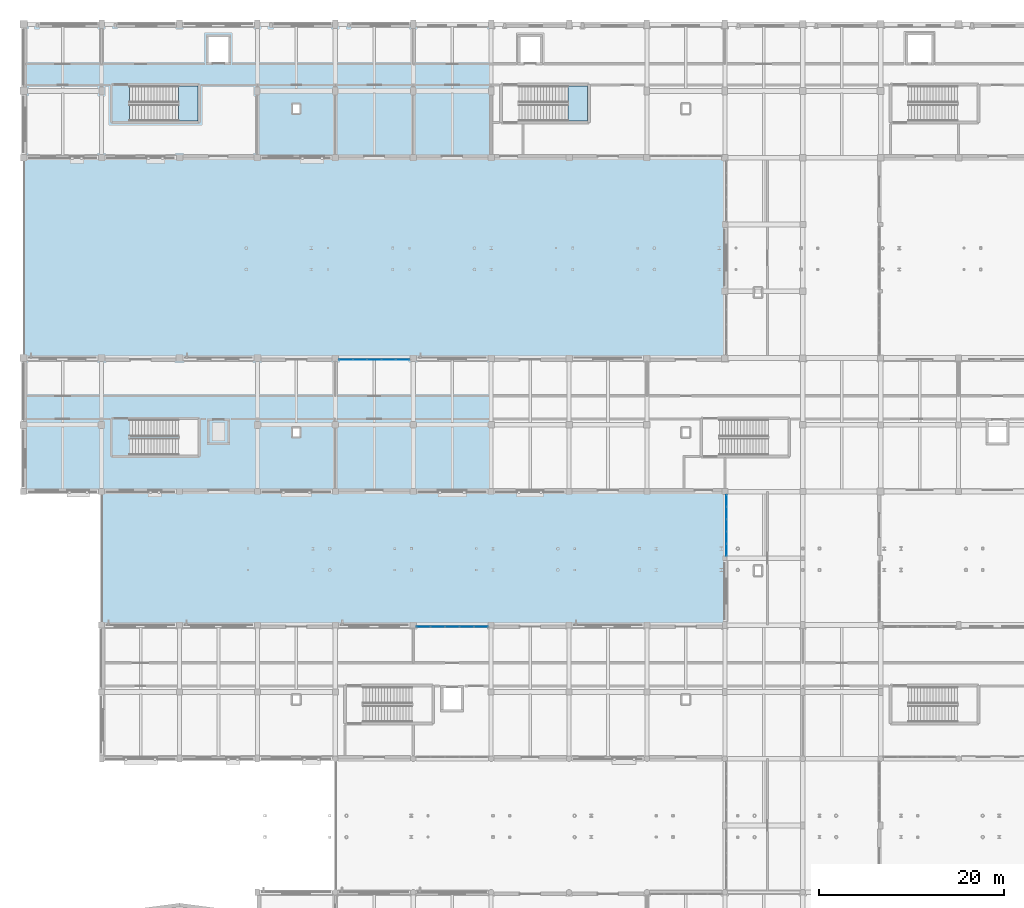
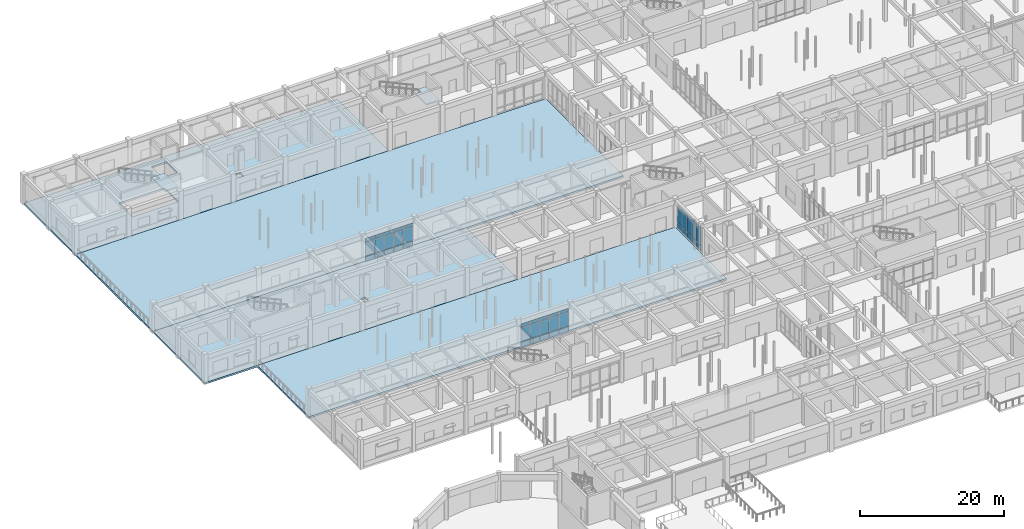
# One storey, part 67 of 121: 45 plates, 6 slabs, 5 elements without a shape of their own.
"""IFC4 building model written with IfcOpenShell, lengths in metres."""

from ifc_helpers import new_model, si_unit, direction, frame, origin, origin_2d, place, context, subcontext, project, spatial, polyline, rectangle, outline, extrude, material, layer, layer_set, type_object, element, aggregate, save


model = new_model("IFC4")

# Units and contexts
model_context = context("Model", 3, precision=1e-05, world=origin(), true_north=direction((0.0, 1.0)))
body_context = subcontext(model_context, "Body", "Model", "MODEL_VIEW")
ifc_project = project(units=[si_unit("LENGTHUNIT", "METRE"), si_unit("AREAUNIT", "SQUARE_METRE"), si_unit("VOLUMEUNIT", "CUBIC_METRE"), si_unit("PLANEANGLEUNIT", "RADIAN"), si_unit("MASSUNIT", "GRAM", prefix="KILO")], contexts=[model_context])

# Site, building, storey
site_placement = place(None, origin())
site = spatial("IfcSite", under=ifc_project, at=site_placement, CompositionType="ELEMENT")
building_placement = place(site_placement, origin())
building = spatial("IfcBuilding", under=site, at=building_placement, Name="Malvenik Polytechnic", CompositionType="ELEMENT")
storey_placement = place(building_placement, origin())
storey = spatial("IfcBuildingStorey", under=building, at=storey_placement, Name="L00", CompositionType="ELEMENT", Elevation=0.0)

# Curtain wall, plates
ifc_material_1 = material(Name="Anodised aluminium 6060-T6", Category="aluminium")
curtain_wall_type_1 = type_object("IfcCurtainWallType", Name="ARC-CW-CW-01", PredefinedType="NOTDEFINED", material=ifc_material_1)
curtain_wall_1_placement = place(storey_placement, origin())
curtain_wall_1 = element("IfcCurtainWall", 1, at=curtain_wall_1_placement, inside=storey, type_object=curtain_wall_type_1, Name="Unitised Curtain Wall CW-01 L00 #5", PredefinedType="NOTDEFINED")
ifc_material_2 = material(Name="Triple solar-control glazing 8-14-6-14-8", Category="glass")
ifc_layer_1 = layer(ifc_material_2, 0.035888671875)
ifc_layer_set_1 = layer_set([ifc_layer_1], Name="Triple solar-control glazing 8-14-6-14-8")
plate_type_1 = type_object("IfcPlateType", Name="ARC-CWP-CP-GLZ36", PredefinedType="CURTAIN_PANEL", material=ifc_layer_set_1)
plate_1_placement = place(storey_placement, frame((43.11328125, 64.6298828125, 0.97998046875), z_axis=(0.0, 0.0, 1.0), x_axis=(1.0, 0.0, 0.0)))
plate_1 = element("IfcPlate", 2, at=plate_1_placement, type_object=plate_type_1, Name="CW-01 panel 1.2", PredefinedType="CURTAIN_PANEL", context=body_context, shape_type="SweptSolid", body=[
    extrude(rectangle(XDim=1.460693359375, YDim=0.028076171875, at=origin_2d()), origin(), (0.0, 0.0, 1.0), 2.35009765625),
])
plate_2_placement = place(storey_placement, frame((43.11328125, 64.6298828125, 3.389892578125), z_axis=(0.0, 0.0, 1.0), x_axis=(1.0, 0.0, 0.0)))
plate_2 = element("IfcPlate", 3, at=plate_2_placement, type_object=plate_type_1, Name="CW-01 panel 1.3", PredefinedType="CURTAIN_PANEL", context=body_context, shape_type="SweptSolid", body=[
    extrude(rectangle(XDim=1.460693359375, YDim=0.028076171875, at=origin_2d()), origin(), (0.0, 0.0, 1.0), 0.56005859375),
])
plate_3_placement = place(storey_placement, frame((44.649169921875, 64.6298828125, 0.97998046875), z_axis=(0.0, 0.0, 1.0), x_axis=(1.0, 0.0, 0.0)))
plate_3 = element("IfcPlate", 4, at=plate_3_placement, type_object=plate_type_1, Name="CW-01 panel 2.2", PredefinedType="CURTAIN_PANEL", context=body_context, shape_type="SweptSolid", body=[
    extrude(rectangle(XDim=1.49072265625, YDim=0.028076171875, at=origin_2d()), origin(), (0.0, 0.0, 1.0), 2.35009765625),
])
plate_4_placement = place(storey_placement, frame((44.649169921875, 64.6298828125, 3.389892578125), z_axis=(0.0, 0.0, 1.0), x_axis=(1.0, 0.0, 0.0)))
plate_4 = element("IfcPlate", 5, at=plate_4_placement, type_object=plate_type_1, Name="CW-01 panel 2.3", PredefinedType="CURTAIN_PANEL", context=body_context, shape_type="SweptSolid", body=[
    extrude(rectangle(XDim=1.49072265625, YDim=0.028076171875, at=origin_2d()), origin(), (0.0, 0.0, 1.0), 0.56005859375),
])
plate_5_placement = place(storey_placement, frame((46.199951171875, 64.6298828125, 0.97998046875), z_axis=(0.0, 0.0, 1.0), x_axis=(1.0, 0.0, 0.0)))
plate_5 = element("IfcPlate", 6, at=plate_5_placement, type_object=plate_type_1, Name="CW-01 panel 3.2", PredefinedType="CURTAIN_PANEL", context=body_context, shape_type="SweptSolid", body=[
    extrude(rectangle(XDim=1.49072265625, YDim=0.028076171875, at=origin_2d()), origin(), (0.0, 0.0, 1.0), 2.35009765625),
])
plate_6_placement = place(storey_placement, frame((46.199951171875, 64.6298828125, 3.389892578125), z_axis=(0.0, 0.0, 1.0), x_axis=(1.0, 0.0, 0.0)))
plate_6 = element("IfcPlate", 7, at=plate_6_placement, type_object=plate_type_1, Name="CW-01 panel 3.3", PredefinedType="CURTAIN_PANEL", context=body_context, shape_type="SweptSolid", body=[
    extrude(rectangle(XDim=1.49072265625, YDim=0.028076171875, at=origin_2d()), origin(), (0.0, 0.0, 1.0), 0.56005859375),
])
plate_7_placement = place(storey_placement, frame((47.750732421875, 64.6298828125, 0.97998046875), z_axis=(0.0, 0.0, 1.0), x_axis=(1.0, 0.0, 0.0)))
plate_7 = element("IfcPlate", 8, at=plate_7_placement, type_object=plate_type_1, Name="CW-01 panel 4.2", PredefinedType="CURTAIN_PANEL", context=body_context, shape_type="SweptSolid", body=[
    extrude(rectangle(XDim=1.49072265625, YDim=0.028076171875, at=origin_2d()), origin(), (0.0, 0.0, 1.0), 2.35009765625),
])
plate_8_placement = place(storey_placement, frame((47.750732421875, 64.6298828125, 3.389892578125), z_axis=(0.0, 0.0, 1.0), x_axis=(1.0, 0.0, 0.0)))
plate_8 = element("IfcPlate", 9, at=plate_8_placement, type_object=plate_type_1, Name="CW-01 panel 4.3", PredefinedType="CURTAIN_PANEL", context=body_context, shape_type="SweptSolid", body=[
    extrude(rectangle(XDim=1.49072265625, YDim=0.028076171875, at=origin_2d()), origin(), (0.0, 0.0, 1.0), 0.56005859375),
])
plate_9_placement = place(storey_placement, frame((49.28662109375, 64.6298828125, 0.97998046875), z_axis=(0.0, 0.0, 1.0), x_axis=(1.0, 0.0, 0.0)))
plate_9 = element("IfcPlate", 10, at=plate_9_placement, type_object=plate_type_1, Name="CW-01 panel 5.2", PredefinedType="CURTAIN_PANEL", context=body_context, shape_type="SweptSolid", body=[
    extrude(rectangle(XDim=1.460693359375, YDim=0.028076171875, at=origin_2d()), origin(), (0.0, 0.0, 1.0), 2.35009765625),
])
plate_10_placement = place(storey_placement, frame((49.28662109375, 64.6298828125, 3.389892578125), z_axis=(0.0, 0.0, 1.0), x_axis=(1.0, 0.0, 0.0)))
plate_10 = element("IfcPlate", 11, at=plate_10_placement, type_object=plate_type_1, Name="CW-01 panel 5.3", PredefinedType="CURTAIN_PANEL", context=body_context, shape_type="SweptSolid", body=[
    extrude(rectangle(XDim=1.460693359375, YDim=0.028076171875, at=origin_2d()), origin(), (0.0, 0.0, 1.0), 0.56005859375),
])

curtain_wall_type_2 = type_object("IfcCurtainWallType", Name="ARC-CW-CW-04", PredefinedType="NOTDEFINED", material=ifc_material_1)
curtain_wall_2_placement = place(storey_placement, origin())
curtain_wall_2 = element("IfcCurtainWall", 12, at=curtain_wall_2_placement, inside=storey, type_object=curtain_wall_type_2, Name="Unitised Curtain Wall CW-04 L00 #6", PredefinedType="NOTDEFINED")
plate_11_placement = place(storey_placement, frame((75.77001953125, 72.92578125, 0.97998046875), z_axis=(0.0, 0.0, 1.0), x_axis=(0.0, 1.0, 0.0)))
plate_11 = element("IfcPlate", 13, at=plate_11_placement, type_object=plate_type_1, Name="CW-04 panel 1.2", PredefinedType="CURTAIN_PANEL", context=body_context, shape_type="SweptSolid", body=[
    extrude(rectangle(XDim=1.23583984375, YDim=0.028076171875, at=origin_2d()), origin(), (0.0, 0.0, 1.0), 2.449951171875),
])
plate_12_placement = place(storey_placement, frame((75.77001953125, 72.92578125, 3.489990234375), z_axis=(0.0, 0.0, 1.0), x_axis=(0.0, 1.0, 0.0)))
plate_12 = element("IfcPlate", 14, at=plate_12_placement, type_object=plate_type_1, Name="CW-04 panel 1.3", PredefinedType="CURTAIN_PANEL", context=body_context, shape_type="SweptSolid", body=[
    extrude(rectangle(XDim=1.23583984375, YDim=0.028076171875, at=origin_2d()), origin(), (0.0, 0.0, 1.0), 0.56005859375),
])
plate_13_placement = place(storey_placement, frame((75.77001953125, 74.23681640625, 0.97998046875), z_axis=(0.0, 0.0, 1.0), x_axis=(0.0, 1.0, 0.0)))
plate_13 = element("IfcPlate", 15, at=plate_13_placement, type_object=plate_type_1, Name="CW-04 panel 2.2", PredefinedType="CURTAIN_PANEL", context=body_context, shape_type="SweptSolid", body=[
    extrude(rectangle(XDim=1.265869140625, YDim=0.028076171875, at=origin_2d()), origin(), (0.0, 0.0, 1.0), 2.449951171875),
])
plate_14_placement = place(storey_placement, frame((75.77001953125, 74.23681640625, 3.489990234375), z_axis=(0.0, 0.0, 1.0), x_axis=(0.0, 1.0, 0.0)))
plate_14 = element("IfcPlate", 16, at=plate_14_placement, type_object=plate_type_1, Name="CW-04 panel 2.3", PredefinedType="CURTAIN_PANEL", context=body_context, shape_type="SweptSolid", body=[
    extrude(rectangle(XDim=1.265869140625, YDim=0.028076171875, at=origin_2d()), origin(), (0.0, 0.0, 1.0), 0.56005859375),
])
plate_15_placement = place(storey_placement, frame((75.77001953125, 75.5625, 0.97998046875), z_axis=(0.0, 0.0, 1.0), x_axis=(0.0, 1.0, 0.0)))
plate_15 = element("IfcPlate", 17, at=plate_15_placement, type_object=plate_type_1, Name="CW-04 panel 3.2", PredefinedType="CURTAIN_PANEL", context=body_context, shape_type="SweptSolid", body=[
    extrude(rectangle(XDim=1.265869140625, YDim=0.028076171875, at=origin_2d()), origin(), (0.0, 0.0, 1.0), 2.449951171875),
])
plate_16_placement = place(storey_placement, frame((75.77001953125, 75.5625, 3.489990234375), z_axis=(0.0, 0.0, 1.0), x_axis=(0.0, 1.0, 0.0)))
plate_16 = element("IfcPlate", 18, at=plate_16_placement, type_object=plate_type_1, Name="CW-04 panel 3.3", PredefinedType="CURTAIN_PANEL", context=body_context, shape_type="SweptSolid", body=[
    extrude(rectangle(XDim=1.265869140625, YDim=0.028076171875, at=origin_2d()), origin(), (0.0, 0.0, 1.0), 0.56005859375),
])
plate_17_placement = place(storey_placement, frame((75.77001953125, 76.88818359375, 0.97998046875), z_axis=(0.0, 0.0, 1.0), x_axis=(0.0, 1.0, 0.0)))
plate_17 = element("IfcPlate", 19, at=plate_17_placement, type_object=plate_type_1, Name="CW-04 panel 4.2", PredefinedType="CURTAIN_PANEL", context=body_context, shape_type="SweptSolid", body=[
    extrude(rectangle(XDim=1.265869140625, YDim=0.028076171875, at=origin_2d()), origin(), (0.0, 0.0, 1.0), 2.449951171875),
])
plate_18_placement = place(storey_placement, frame((75.77001953125, 76.88818359375, 3.489990234375), z_axis=(0.0, 0.0, 1.0), x_axis=(0.0, 1.0, 0.0)))
plate_18 = element("IfcPlate", 20, at=plate_18_placement, type_object=plate_type_1, Name="CW-04 panel 4.3", PredefinedType="CURTAIN_PANEL", context=body_context, shape_type="SweptSolid", body=[
    extrude(rectangle(XDim=1.265869140625, YDim=0.028076171875, at=origin_2d()), origin(), (0.0, 0.0, 1.0), 0.56005859375),
])
plate_19_placement = place(storey_placement, frame((75.77001953125, 78.19921875, 0.97998046875), z_axis=(0.0, 0.0, 1.0), x_axis=(0.0, 1.0, 0.0)))
plate_19 = element("IfcPlate", 21, at=plate_19_placement, type_object=plate_type_1, Name="CW-04 panel 5.2", PredefinedType="CURTAIN_PANEL", context=body_context, shape_type="SweptSolid", body=[
    extrude(rectangle(XDim=1.23583984375, YDim=0.028076171875, at=origin_2d()), origin(), (0.0, 0.0, 1.0), 2.449951171875),
])
plate_20_placement = place(storey_placement, frame((75.77001953125, 78.19921875, 3.489990234375), z_axis=(0.0, 0.0, 1.0), x_axis=(0.0, 1.0, 0.0)))
plate_20 = element("IfcPlate", 22, at=plate_20_placement, type_object=plate_type_1, Name="CW-04 panel 5.3", PredefinedType="CURTAIN_PANEL", context=body_context, shape_type="SweptSolid", body=[
    extrude(rectangle(XDim=1.23583984375, YDim=0.028076171875, at=origin_2d()), origin(), (0.0, 0.0, 1.0), 0.56005859375),
])

curtain_wall_3_placement = place(storey_placement, origin())
curtain_wall_3 = element("IfcCurtainWall", 23, at=curtain_wall_3_placement, inside=storey, type_object=curtain_wall_type_1, Name="Unitised Curtain Wall CW-01 L00 #7", PredefinedType="NOTDEFINED")
plate_21_placement = place(storey_placement, frame((34.7333984375, 93.429931640625, 0.97998046875), z_axis=(0.0, 0.0, 1.0), x_axis=(1.0, 0.0, 0.0)))
plate_21 = element("IfcPlate", 24, at=plate_21_placement, type_object=plate_type_1, Name="CW-01 panel 1.2", PredefinedType="CURTAIN_PANEL", context=body_context, shape_type="SweptSolid", body=[
    extrude(rectangle(XDim=1.45068359375, YDim=0.028076171875, at=origin_2d()), origin(), (0.0, 0.0, 1.0), 2.35009765625),
])
plate_22_placement = place(storey_placement, frame((34.7333984375, 93.429931640625, 3.389892578125), z_axis=(0.0, 0.0, 1.0), x_axis=(1.0, 0.0, 0.0)))
plate_22 = element("IfcPlate", 25, at=plate_22_placement, type_object=plate_type_1, Name="CW-01 panel 1.3", PredefinedType="CURTAIN_PANEL", context=body_context, shape_type="SweptSolid", body=[
    extrude(rectangle(XDim=1.45068359375, YDim=0.028076171875, at=origin_2d()), origin(), (0.0, 0.0, 1.0), 0.56005859375),
])
plate_23_placement = place(storey_placement, frame((36.25927734375, 93.429931640625, 0.97998046875), z_axis=(0.0, 0.0, 1.0), x_axis=(1.0, 0.0, 0.0)))
plate_23 = element("IfcPlate", 26, at=plate_23_placement, type_object=plate_type_1, Name="CW-01 panel 2.2", PredefinedType="CURTAIN_PANEL", context=body_context, shape_type="SweptSolid", body=[
    extrude(rectangle(XDim=1.480712890625, YDim=0.028076171875, at=origin_2d()), origin(), (0.0, 0.0, 1.0), 2.35009765625),
])
plate_24_placement = place(storey_placement, frame((36.25927734375, 93.429931640625, 3.389892578125), z_axis=(0.0, 0.0, 1.0), x_axis=(1.0, 0.0, 0.0)))
plate_24 = element("IfcPlate", 27, at=plate_24_placement, type_object=plate_type_1, Name="CW-01 panel 2.3", PredefinedType="CURTAIN_PANEL", context=body_context, shape_type="SweptSolid", body=[
    extrude(rectangle(XDim=1.480712890625, YDim=0.028076171875, at=origin_2d()), origin(), (0.0, 0.0, 1.0), 0.56005859375),
])
plate_25_placement = place(storey_placement, frame((37.800048828125, 93.429931640625, 0.97998046875), z_axis=(0.0, 0.0, 1.0), x_axis=(1.0, 0.0, 0.0)))
plate_25 = element("IfcPlate", 28, at=plate_25_placement, type_object=plate_type_1, Name="CW-01 panel 3.2", PredefinedType="CURTAIN_PANEL", context=body_context, shape_type="SweptSolid", body=[
    extrude(rectangle(XDim=1.480712890625, YDim=0.028076171875, at=origin_2d()), origin(), (0.0, 0.0, 1.0), 2.35009765625),
])
plate_26_placement = place(storey_placement, frame((37.800048828125, 93.429931640625, 3.389892578125), z_axis=(0.0, 0.0, 1.0), x_axis=(1.0, 0.0, 0.0)))
plate_26 = element("IfcPlate", 29, at=plate_26_placement, type_object=plate_type_1, Name="CW-01 panel 3.3", PredefinedType="CURTAIN_PANEL", context=body_context, shape_type="SweptSolid", body=[
    extrude(rectangle(XDim=1.480712890625, YDim=0.028076171875, at=origin_2d()), origin(), (0.0, 0.0, 1.0), 0.56005859375),
])
plate_27_placement = place(storey_placement, frame((39.3408203125, 93.429931640625, 0.97998046875), z_axis=(0.0, 0.0, 1.0), x_axis=(1.0, 0.0, 0.0)))
plate_27 = element("IfcPlate", 30, at=plate_27_placement, type_object=plate_type_1, Name="CW-01 panel 4.2", PredefinedType="CURTAIN_PANEL", context=body_context, shape_type="SweptSolid", body=[
    extrude(rectangle(XDim=1.480712890625, YDim=0.028076171875, at=origin_2d()), origin(), (0.0, 0.0, 1.0), 2.35009765625),
])
plate_28_placement = place(storey_placement, frame((39.3408203125, 93.429931640625, 3.389892578125), z_axis=(0.0, 0.0, 1.0), x_axis=(1.0, 0.0, 0.0)))
plate_28 = element("IfcPlate", 31, at=plate_28_placement, type_object=plate_type_1, Name="CW-01 panel 4.3", PredefinedType="CURTAIN_PANEL", context=body_context, shape_type="SweptSolid", body=[
    extrude(rectangle(XDim=1.480712890625, YDim=0.028076171875, at=origin_2d()), origin(), (0.0, 0.0, 1.0), 0.56005859375),
])
plate_29_placement = place(storey_placement, frame((40.86669921875, 93.429931640625, 0.97998046875), z_axis=(0.0, 0.0, 1.0), x_axis=(1.0, 0.0, 0.0)))
plate_29 = element("IfcPlate", 32, at=plate_29_placement, type_object=plate_type_1, Name="CW-01 panel 5.2", PredefinedType="CURTAIN_PANEL", context=body_context, shape_type="SweptSolid", body=[
    extrude(rectangle(XDim=1.45068359375, YDim=0.028076171875, at=origin_2d()), origin(), (0.0, 0.0, 1.0), 2.35009765625),
])
plate_30_placement = place(storey_placement, frame((40.86669921875, 93.429931640625, 3.389892578125), z_axis=(0.0, 0.0, 1.0), x_axis=(1.0, 0.0, 0.0)))
plate_30 = element("IfcPlate", 33, at=plate_30_placement, type_object=plate_type_1, Name="CW-01 panel 5.3", PredefinedType="CURTAIN_PANEL", context=body_context, shape_type="SweptSolid", body=[
    extrude(rectangle(XDim=1.45068359375, YDim=0.028076171875, at=origin_2d()), origin(), (0.0, 0.0, 1.0), 0.56005859375),
])

# Plate
ifc_material_3 = material(Name="Insulated aluminium spandrel cassette 42mm", Category="aluminium")
ifc_layer_2 = layer(ifc_material_3, 0.0419921875)
ifc_layer_set_2 = layer_set([ifc_layer_2], Name="Insulated aluminium spandrel cassette 42mm")
plate_type_2 = type_object("IfcPlateType", Name="ARC-CWP-CP-SPN42", PredefinedType="CURTAIN_PANEL", material=ifc_layer_set_2)
plate_31_placement = place(storey_placement, frame((43.11328125, 64.6298828125, 0.06005859375), z_axis=(0.0, 0.0, 1.0), x_axis=(1.0, 0.0, 0.0)))
plate_31 = element("IfcPlate", 34, at=plate_31_placement, type_object=plate_type_2, Name="CW-01 panel 1.1", PredefinedType="CURTAIN_PANEL", context=body_context, shape_type="SweptSolid", body=[
    extrude(rectangle(XDim=1.460693359375, YDim=0.028076171875, at=origin_2d()), origin(), (0.0, 0.0, 1.0), 0.860107421875),
])

plate_32_placement = place(storey_placement, frame((44.649169921875, 64.6298828125, 0.06005859375), z_axis=(0.0, 0.0, 1.0), x_axis=(1.0, 0.0, 0.0)))
plate_32 = element("IfcPlate", 35, at=plate_32_placement, type_object=plate_type_2, Name="CW-01 panel 2.1", PredefinedType="CURTAIN_PANEL", context=body_context, shape_type="SweptSolid", body=[
    extrude(rectangle(XDim=1.49072265625, YDim=0.028076171875, at=origin_2d()), origin(), (0.0, 0.0, 1.0), 0.860107421875),
])

plate_33_placement = place(storey_placement, frame((46.199951171875, 64.6298828125, 0.06005859375), z_axis=(0.0, 0.0, 1.0), x_axis=(1.0, 0.0, 0.0)))
plate_33 = element("IfcPlate", 36, at=plate_33_placement, type_object=plate_type_2, Name="CW-01 panel 3.1", PredefinedType="CURTAIN_PANEL", context=body_context, shape_type="SweptSolid", body=[
    extrude(rectangle(XDim=1.49072265625, YDim=0.028076171875, at=origin_2d()), origin(), (0.0, 0.0, 1.0), 0.860107421875),
])

plate_34_placement = place(storey_placement, frame((47.750732421875, 64.6298828125, 0.06005859375), z_axis=(0.0, 0.0, 1.0), x_axis=(1.0, 0.0, 0.0)))
plate_34 = element("IfcPlate", 37, at=plate_34_placement, type_object=plate_type_2, Name="CW-01 panel 4.1", PredefinedType="CURTAIN_PANEL", context=body_context, shape_type="SweptSolid", body=[
    extrude(rectangle(XDim=1.49072265625, YDim=0.028076171875, at=origin_2d()), origin(), (0.0, 0.0, 1.0), 0.860107421875),
])

plate_35_placement = place(storey_placement, frame((49.28662109375, 64.6298828125, 0.06005859375), z_axis=(0.0, 0.0, 1.0), x_axis=(1.0, 0.0, 0.0)))
plate_35 = element("IfcPlate", 38, at=plate_35_placement, type_object=plate_type_2, Name="CW-01 panel 5.1", PredefinedType="CURTAIN_PANEL", context=body_context, shape_type="SweptSolid", body=[
    extrude(rectangle(XDim=1.460693359375, YDim=0.028076171875, at=origin_2d()), origin(), (0.0, 0.0, 1.0), 0.860107421875),
])

aggregate(curtain_wall_1, [plate_31, plate_1, plate_2, plate_32, plate_3, plate_4, plate_33, plate_5, plate_6, plate_34, plate_7, plate_8, plate_35, plate_9, plate_10])

plate_36_placement = place(storey_placement, frame((75.77001953125, 72.92578125, 0.06005859375), z_axis=(0.0, 0.0, 1.0), x_axis=(0.0, 1.0, 0.0)))
plate_36 = element("IfcPlate", 39, at=plate_36_placement, type_object=plate_type_2, Name="CW-04 panel 1.1", PredefinedType="CURTAIN_PANEL", context=body_context, shape_type="SweptSolid", body=[
    extrude(rectangle(XDim=1.23583984375, YDim=0.028076171875, at=origin_2d()), origin(), (0.0, 0.0, 1.0), 0.860107421875),
])

plate_37_placement = place(storey_placement, frame((75.77001953125, 74.23681640625, 0.06005859375), z_axis=(0.0, 0.0, 1.0), x_axis=(0.0, 1.0, 0.0)))
plate_37 = element("IfcPlate", 40, at=plate_37_placement, type_object=plate_type_2, Name="CW-04 panel 2.1", PredefinedType="CURTAIN_PANEL", context=body_context, shape_type="SweptSolid", body=[
    extrude(rectangle(XDim=1.265869140625, YDim=0.028076171875, at=origin_2d()), origin(), (0.0, 0.0, 1.0), 0.860107421875),
])

plate_38_placement = place(storey_placement, frame((75.77001953125, 75.5625, 0.06005859375), z_axis=(0.0, 0.0, 1.0), x_axis=(0.0, 1.0, 0.0)))
plate_38 = element("IfcPlate", 41, at=plate_38_placement, type_object=plate_type_2, Name="CW-04 panel 3.1", PredefinedType="CURTAIN_PANEL", context=body_context, shape_type="SweptSolid", body=[
    extrude(rectangle(XDim=1.265869140625, YDim=0.028076171875, at=origin_2d()), origin(), (0.0, 0.0, 1.0), 0.860107421875),
])

plate_39_placement = place(storey_placement, frame((75.77001953125, 76.88818359375, 0.06005859375), z_axis=(0.0, 0.0, 1.0), x_axis=(0.0, 1.0, 0.0)))
plate_39 = element("IfcPlate", 42, at=plate_39_placement, type_object=plate_type_2, Name="CW-04 panel 4.1", PredefinedType="CURTAIN_PANEL", context=body_context, shape_type="SweptSolid", body=[
    extrude(rectangle(XDim=1.265869140625, YDim=0.028076171875, at=origin_2d()), origin(), (0.0, 0.0, 1.0), 0.860107421875),
])

plate_40_placement = place(storey_placement, frame((75.77001953125, 78.19921875, 0.06005859375), z_axis=(0.0, 0.0, 1.0), x_axis=(0.0, 1.0, 0.0)))
plate_40 = element("IfcPlate", 43, at=plate_40_placement, type_object=plate_type_2, Name="CW-04 panel 5.1", PredefinedType="CURTAIN_PANEL", context=body_context, shape_type="SweptSolid", body=[
    extrude(rectangle(XDim=1.23583984375, YDim=0.028076171875, at=origin_2d()), origin(), (0.0, 0.0, 1.0), 0.860107421875),
])

aggregate(curtain_wall_2, [plate_36, plate_11, plate_12, plate_37, plate_13, plate_14, plate_38, plate_15, plate_16, plate_39, plate_17, plate_18, plate_40, plate_19, plate_20])

plate_41_placement = place(storey_placement, frame((34.7333984375, 93.429931640625, 0.06005859375), z_axis=(0.0, 0.0, 1.0), x_axis=(1.0, 0.0, 0.0)))
plate_41 = element("IfcPlate", 44, at=plate_41_placement, type_object=plate_type_2, Name="CW-01 panel 1.1", PredefinedType="CURTAIN_PANEL", context=body_context, shape_type="SweptSolid", body=[
    extrude(rectangle(XDim=1.45068359375, YDim=0.028076171875, at=origin_2d()), origin(), (0.0, 0.0, 1.0), 0.860107421875),
])

plate_42_placement = place(storey_placement, frame((36.25927734375, 93.429931640625, 0.06005859375), z_axis=(0.0, 0.0, 1.0), x_axis=(1.0, 0.0, 0.0)))
plate_42 = element("IfcPlate", 45, at=plate_42_placement, type_object=plate_type_2, Name="CW-01 panel 2.1", PredefinedType="CURTAIN_PANEL", context=body_context, shape_type="SweptSolid", body=[
    extrude(rectangle(XDim=1.480712890625, YDim=0.028076171875, at=origin_2d()), origin(), (0.0, 0.0, 1.0), 0.860107421875),
])

plate_43_placement = place(storey_placement, frame((37.800048828125, 93.429931640625, 0.06005859375), z_axis=(0.0, 0.0, 1.0), x_axis=(1.0, 0.0, 0.0)))
plate_43 = element("IfcPlate", 46, at=plate_43_placement, type_object=plate_type_2, Name="CW-01 panel 3.1", PredefinedType="CURTAIN_PANEL", context=body_context, shape_type="SweptSolid", body=[
    extrude(rectangle(XDim=1.480712890625, YDim=0.028076171875, at=origin_2d()), origin(), (0.0, 0.0, 1.0), 0.860107421875),
])

plate_44_placement = place(storey_placement, frame((39.3408203125, 93.429931640625, 0.06005859375), z_axis=(0.0, 0.0, 1.0), x_axis=(1.0, 0.0, 0.0)))
plate_44 = element("IfcPlate", 47, at=plate_44_placement, type_object=plate_type_2, Name="CW-01 panel 4.1", PredefinedType="CURTAIN_PANEL", context=body_context, shape_type="SweptSolid", body=[
    extrude(rectangle(XDim=1.480712890625, YDim=0.028076171875, at=origin_2d()), origin(), (0.0, 0.0, 1.0), 0.860107421875),
])

plate_45_placement = place(storey_placement, frame((40.86669921875, 93.429931640625, 0.06005859375), z_axis=(0.0, 0.0, 1.0), x_axis=(1.0, 0.0, 0.0)))
plate_45 = element("IfcPlate", 48, at=plate_45_placement, type_object=plate_type_2, Name="CW-01 panel 5.1", PredefinedType="CURTAIN_PANEL", context=body_context, shape_type="SweptSolid", body=[
    extrude(rectangle(XDim=1.45068359375, YDim=0.028076171875, at=origin_2d()), origin(), (0.0, 0.0, 1.0), 0.860107421875),
])

aggregate(curtain_wall_3, [plate_41, plate_21, plate_22, plate_42, plate_23, plate_24, plate_43, plate_25, plate_26, plate_44, plate_27, plate_28, plate_45, plate_29, plate_30])

# Stair, slab
ifc_material_4 = material(Name="Concrete C35/45", Category="concrete")
stair_type_1 = type_object("IfcStairType", Name="ARC-STR-ST-01", PredefinedType="HALF_TURN_STAIR", material=ifc_material_4)
stair_1_placement = place(storey_placement, origin())
stair_1 = element("IfcStair", 49, at=stair_1_placement, inside=storey, type_object=stair_type_1, Name="L00 Escape Stair ST-01", PredefinedType="HALF_TURN_STAIR")
ifc_layer_3 = layer(ifc_material_4, 0.199951171875)
ifc_layer_set_3 = layer_set([ifc_layer_3], Name="Concrete C35/45")
slab_type_1 = type_object("IfcSlabType", Name="ARC-SLB-STLND", PredefinedType="LANDING", material=ifc_layer_set_3)
slab_1_placement = place(storey_placement, frame((0.0, 0.0, 2.35009765625)))
slab_1 = element("IfcSlab", 50, at=slab_1_placement, type_object=slab_type_1, Name="ST-01 landing 1", PredefinedType="LANDING", context=body_context, shape_type="SweptSolid", body=[
    extrude(outline(polyline([(16.679931640625, 119.14990234375), (18.800048828125, 119.14990234375), (18.800048828125, 122.949951171875), (16.679931640625, 122.949951171875), (16.679931640625, 119.14990234375)])), origin(), (0.0, 0.0, 1.0), 0.199951171875),
])
aggregate(stair_1, [slab_1])

stair_type_2 = type_object("IfcStairType", Name="ARC-STR-ST-02", PredefinedType="HALF_TURN_STAIR", material=ifc_material_4)
stair_2_placement = place(storey_placement, origin())
stair_2 = element("IfcStair", 51, at=stair_2_placement, inside=storey, type_object=stair_type_2, Name="L00 Escape Stair ST-02", PredefinedType="HALF_TURN_STAIR")
slab_2_placement = place(storey_placement, frame((0.0, 0.0, 2.35009765625)))
slab_2 = element("IfcSlab", 52, at=slab_2_placement, type_object=slab_type_1, Name="ST-02 landing 1", PredefinedType="LANDING", context=body_context, shape_type="SweptSolid", body=[
    extrude(outline(polyline([(58.679931640625, 119.14990234375), (60.800048828125, 119.14990234375), (60.800048828125, 122.949951171875), (58.679931640625, 122.949951171875), (58.679931640625, 119.14990234375)])), origin(), (0.0, 0.0, 1.0), 0.199951171875),
])
aggregate(stair_2, [slab_2])

# Slabs
ifc_layer_4 = layer(ifc_material_4, 0.300048828125)
ifc_layer_set_4 = layer_set([ifc_layer_4], Name="Concrete C35/45")
slab_type_2 = type_object("IfcSlabType", Name="STR-SLB-FLR-300", PredefinedType="FLOOR", material=ifc_layer_set_4)
slab_3_placement = place(storey_placement, frame((0.0, 0.0, -0.300048828125)))
element("IfcSlab", 53, at=slab_3_placement, inside=storey, type_object=slab_type_2, Name="Structural Slab L00-V1 #18", PredefinedType="FLOOR", context=body_context, shape_type="SweptSolid", body=[
    extrude(outline(polyline([(0.0, 129.60009765625), (50.3798828125, 129.60009765625), (50.3798828125, 115.199951171875), (0.0, 115.199951171875), (0.0, 129.60009765625)]), holes=[polyline([(29.75, 120.949951171875), (29.0, 120.949951171875), (29.0, 120.0), (29.75, 120.0), (29.75, 120.949951171875)]), polyline([(18.800048828125, 119.14990234375), (18.800048828125, 122.949951171875), (11.41796875, 122.949951171875), (11.41796875, 119.14990234375), (18.800048828125, 119.14990234375)]), polyline([(22.199951171875, 128.35009765625), (19.800048828125, 128.35009765625), (19.800048828125, 125.35009765625), (22.199951171875, 125.35009765625), (22.199951171875, 128.35009765625)])]), origin(), (0.0, 0.0, 1.0), 0.300048828125),
])
slab_4_placement = place(storey_placement, frame((0.0, 0.0, -0.300048828125)))
element("IfcSlab", 54, at=slab_4_placement, inside=storey, type_object=slab_type_2, Name="Structural Slab L00-V2 #21", PredefinedType="FLOOR", context=body_context, shape_type="SweptSolid", body=[
    extrude(outline(polyline([(50.3798828125, 93.60009765625), (50.3798828125, 79.199951171875), (0.0, 79.199951171875), (0.0, 93.60009765625), (50.3798828125, 93.60009765625)]), holes=[polyline([(29.75, 86.050048828125), (29.0, 86.050048828125), (29.0, 85.10009765625), (29.75, 85.10009765625), (29.75, 86.050048828125)])]), origin(), (0.0, 0.0, 1.0), 0.300048828125),
])
slab_5_placement = place(storey_placement, frame((0.0, 0.0, -0.300048828125)))
element("IfcSlab", 55, at=slab_5_placement, inside=storey, type_object=slab_type_2, Name="Exterior Terrace Slab L00 #42", PredefinedType="FLOOR", context=body_context, shape_type="SweptSolid", body=[
    extrude(outline(polyline([(75.60009765625, 115.199951171875), (75.60009765625, 115.199462890625), (75.60009765625, 93.6005859375), (75.60009765625, 93.60009765625), (75.599609375, 93.60009765625), (0.00048828125, 93.60009765625), (0.0, 93.60009765625), (0.0, 93.6005859375), (0.0, 115.199462890625), (0.0, 115.199951171875), (0.00048828125, 115.199951171875), (75.599609375, 115.199951171875), (75.60009765625, 115.199951171875)])), origin(), (0.0, 0.0, 1.0), 0.300048828125),
])
slab_6_placement = place(storey_placement, frame((0.0, 0.0, -0.300048828125)))
element("IfcSlab", 56, at=slab_6_placement, inside=storey, type_object=slab_type_2, Name="Exterior Terrace Slab L00 #43", PredefinedType="FLOOR", context=body_context, shape_type="SweptSolid", body=[
    extrude(outline(polyline([(8.39990234375, 79.199951171875), (8.400390625, 79.199951171875), (75.599609375, 79.199951171875), (75.60009765625, 79.199951171875), (75.60009765625, 79.199462890625), (75.60009765625, 64.800537109375), (75.60009765625, 64.800048828125), (75.599609375, 64.800048828125), (8.400390625, 64.800048828125), (8.39990234375, 64.800048828125), (8.39990234375, 64.800537109375), (8.39990234375, 79.199462890625), (8.39990234375, 79.199951171875)])), origin(), (0.0, 0.0, 1.0), 0.300048828125),
])

save(model, "model.ifc")
